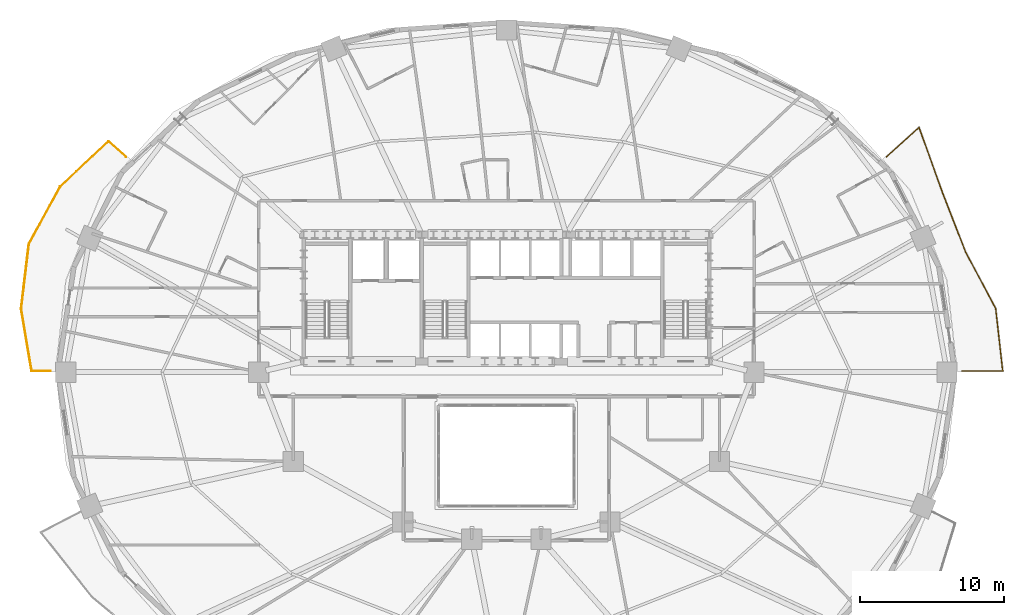
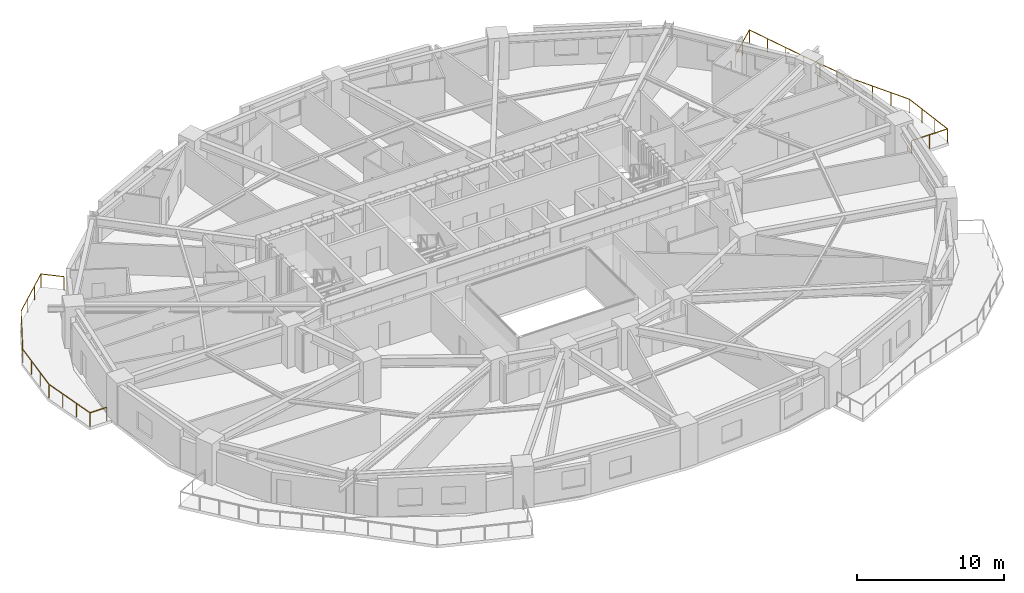
# One storey, part 17 of 17: 2 railings.
"""IFC4 building model written with IfcOpenShell, lengths in metres."""

import ifcopenshell
import ifcopenshell.guid

model = None  # the IFC model being written
_history = None  # IfcOwnerHistory: only IFC2X3 demands one
_inside = {}  # id of a spatial element -> (the spatial element, [elements in it])
_under = {}  # id of a project, library or spatial element -> (it, [spatial elements below it])
_declared = {}  # id of a project -> (the project, [libraries it declares])
_typed = {}  # id of a type object -> (the type object, [elements of that type])
_made_of = {}  # id of a material, layer set ... -> (it, [elements and type objects made of it])


def new_model(schema):
    """Start an empty IFC model of exactly this schema.

    Asked for "IFC4X3", IfcOpenShell would pick the latest addendum, in which some entities
    have other attributes; the version numbers below select the first issue.
    IFC2X3 requires an IfcOwnerHistory on every rooted entity: one is made here for all.
    """
    global model, _history
    if schema == "IFC4X3":
        model = ifcopenshell.file(schema_version=(4, 3, 0, 0))
    else:
        model = ifcopenshell.file(schema=schema)
    _inside.clear()
    _under.clear()
    _declared.clear()
    _typed.clear()
    _made_of.clear()
    _history = None
    if model.schema == "IFC2X3":
        org = make("IfcOrganization", Name="unknown")
        user = make(
            "IfcPersonAndOrganization",
            ThePerson=make("IfcPerson", FamilyName="unknown"),
            TheOrganization=org,
        )
        app = make(
            "IfcApplication",
            ApplicationDeveloper=org,
            Version="unknown",
            ApplicationFullName="unknown",
            ApplicationIdentifier="unknown",
        )
        _history = make(
            "IfcOwnerHistory",
            OwningUser=user,
            OwningApplication=app,
            ChangeAction="ADDED",
            CreationDate=0,
        )
    return model


def make(cls, **values):
    """One entity of the class cls with the attributes given. An attribute that is None is left unset."""
    return model.create_entity(
        cls, **{name: value for name, value in values.items() if value is not None}
    )


def rooted(cls, **values):
    """An entity with a GlobalId (a new one), such as an element, a storey or a relation."""
    return make(cls, GlobalId=ifcopenshell.guid.new(), OwnerHistory=_history, **values)


def si_unit(unit_type, name, prefix=None):
    """IfcSIUnit, for example si_unit("LENGTHUNIT", "METRE", prefix="MILLI")."""
    return make("IfcSIUnit", UnitType=unit_type, Prefix=prefix, Name=name)


def assignment(units):
    """IfcUnitAssignment: the units of a project."""
    return None if units is None else make("IfcUnitAssignment", Units=units)


def point(xyz):
    """IfcCartesianPoint."""
    return None if xyz is None else make("IfcCartesianPoint", Coordinates=xyz)


def direction(xyz):
    """IfcDirection."""
    return None if xyz is None else make("IfcDirection", DirectionRatios=xyz)


def frame(location, z_axis=None, x_axis=None):
    """IfcAxis2Placement3D, a coordinate frame: its origin and axes. An axis left out is left unset."""
    return make(
        "IfcAxis2Placement3D",
        Location=point(location),
        Axis=direction(z_axis),
        RefDirection=direction(x_axis),
    )


def frame_2d(location, x_axis=None):
    """IfcAxis2Placement2D, a coordinate frame in the plane: its origin and x axis."""
    return make(
        "IfcAxis2Placement2D", Location=point(location), RefDirection=direction(x_axis)
    )


def origin():
    """The frame at (0, 0, 0) with its axes left unset."""
    return frame((0.0, 0.0, 0.0))


def origin_2d():
    """The frame at (0, 0) in the plane with its x axis left unset."""
    return frame_2d((0.0, 0.0))


def place(relative_to, where):
    """IfcLocalPlacement: puts the frame where relative to a parent placement (None: the world)."""
    return make(
        "IfcLocalPlacement", PlacementRelTo=relative_to, RelativePlacement=where
    )


def context(
    kind, dimensions, precision=None, world=None, true_north=None, identifier=None
):
    """IfcGeometricRepresentationContext, for example the 3D "Model" context."""
    return make(
        "IfcGeometricRepresentationContext",
        ContextIdentifier=identifier,
        ContextType=kind,
        CoordinateSpaceDimension=dimensions,
        Precision=precision,
        WorldCoordinateSystem=world,
        TrueNorth=true_north,
    )


def subcontext(parent, identifier, kind, view, scale=None):
    """IfcGeometricRepresentationSubContext, for example "Body" below "Model"."""
    return make(
        "IfcGeometricRepresentationSubContext",
        ContextIdentifier=identifier,
        ContextType=kind,
        ParentContext=parent,
        TargetScale=scale,
        TargetView=view,
    )


def project(units=None, contexts=None):
    """IfcProject with its units and contexts."""
    return rooted(
        "IfcProject",
        Name="project",
        RepresentationContexts=contexts,
        UnitsInContext=assignment(units),
    )


def spatial(cls, under=None, at=None, **own):
    """A site, building, storey or space (cls), placed at a placement, below another one or the project."""
    s = rooted(cls, ObjectPlacement=at, **own)
    if under is not None:
        _under.setdefault(under.id(), (under, []))[1].append(s)
    return s


def profile(cls, at=None, kind="AREA", **sizes):
    """A parametric profile (cls). Its sizes go by their IFC names, for example OverallWidth=200.0."""
    return make(cls, ProfileType=kind, Position=at, **sizes)


def rectangle(**sizes):
    """IfcRectangleProfileDef."""
    return profile("IfcRectangleProfileDef", **sizes)


def extrude(swept, where, along, depth):
    """IfcExtrudedAreaSolid: the profile swept, set in the frame where, extruded along a direction by depth."""
    return make(
        "IfcExtrudedAreaSolid",
        SweptArea=swept,
        Position=where,
        ExtrudedDirection=direction(along),
        Depth=depth,
    )


def shape(context_of_items, identifier, shape_type, items):
    """IfcShapeRepresentation: the items that make up one representation, for example the "Body"."""
    return make(
        "IfcShapeRepresentation",
        ContextOfItems=context_of_items,
        RepresentationIdentifier=identifier,
        RepresentationType=shape_type,
        Items=items,
    )


def material(Name=None, Category=None):
    """IfcMaterial."""
    return make("IfcMaterial", Name=Name, Category=Category)


def made_of(thing, what):
    """Note that an element or type object is made of a material, layer set ...; save() writes the relation."""
    if what is not None:
        _made_of.setdefault(what.id(), (what, []))[1].append(thing)
    return thing


def type_object(cls, material=None, **own):
    """A type object (cls), such as IfcWallType, which elements share."""
    return made_of(rooted(cls, **own), material)


def element(
    cls,
    number,
    at=None,
    inside=None,
    cuts=None,
    type_object=None,
    material=None,
    context=None,
    identifier="Body",
    shape_type=None,
    held_by="IfcProductDefinitionShape",
    body=None,
    shapes=None,
    **own,
):
    """One element of the class cls, such as IfcWall. Its Tag is "e" and its number.

    at: its placement. inside: the storey or other place that contains it. cuts: it is an
    opening in that element (IfcRelVoidsElement). A single representation is given by context,
    identifier, shape_type and body (its items); several are given by shapes. held_by: the class
    of the entity that holds the representations. save() writes the other relations.
    """
    e = rooted(cls, Tag="e%d" % number, ObjectPlacement=at, **own)
    if body is not None:
        shapes = [shape(context, identifier, shape_type, body)]
    if shapes is not None:
        e.Representation = make(held_by, Representations=shapes)
    if inside is not None:
        _inside.setdefault(inside.id(), (inside, []))[1].append(e)
    if cuts is not None:
        rooted(
            "IfcRelVoidsElement", RelatingBuildingElement=cuts, RelatedOpeningElement=e
        )
    if type_object is not None:
        _typed.setdefault(type_object.id(), (type_object, []))[1].append(e)
    return made_of(e, material)


def aggregate(whole, parts):
    """IfcRelAggregates: a whole, such as a stair, and the parts it consists of."""
    return rooted("IfcRelAggregates", RelatingObject=whole, RelatedObjects=parts)


def save(model, path):
    """Write the relations noted so far, then the file.

    IfcRelAggregates (storeys below a building ...), IfcRelContainedInSpatialStructure (elements
    in a storey), IfcRelDefinesByType, IfcRelAssociatesMaterial and IfcRelDeclares: one each for
    every whole, place, type object, material and project.
    """
    for whole, parts in _under.values():
        aggregate(whole, parts)
    for where, things in _inside.values():
        rooted(
            "IfcRelContainedInSpatialStructure",
            RelatedElements=things,
            RelatingStructure=where,
        )
    for kind, things in _typed.values():
        rooted("IfcRelDefinesByType", RelatedObjects=things, RelatingType=kind)
    for what, things in _made_of.values():
        rooted("IfcRelAssociatesMaterial", RelatedObjects=things, RelatingMaterial=what)
    for by, libraries in _declared.values():
        rooted("IfcRelDeclares", RelatingContext=by, RelatedDefinitions=libraries)
    model.write(path)


model = new_model("IFC4")

# Units and contexts
model_context = context("Model", 3, precision=1e-05, world=origin(), true_north=direction((0.0, 1.0)))
body_context = subcontext(model_context, "Body", "Model", "MODEL_VIEW")
ifc_project = project(units=[si_unit("LENGTHUNIT", "METRE"), si_unit("AREAUNIT", "SQUARE_METRE"), si_unit("VOLUMEUNIT", "CUBIC_METRE"), si_unit("PLANEANGLEUNIT", "RADIAN"), si_unit("MASSUNIT", "GRAM", prefix="KILO")], contexts=[model_context])

# Site, building, storey
site_placement = place(None, origin())
site = spatial("IfcSite", under=ifc_project, at=site_placement, CompositionType="ELEMENT")
building_placement = place(site_placement, origin())
building = spatial("IfcBuilding", under=site, at=building_placement, Name="Haldorwick Loom Tower", CompositionType="ELEMENT")
storey_placement = place(building_placement, frame((0.0, 0.0, 27.449951171875)))
storey = spatial("IfcBuildingStorey", under=building, at=storey_placement, Name="L06", CompositionType="ELEMENT", Elevation=27.449951171875)

# Railings
ifc_material = material(Name="Galvanized Steel CSA G40.21 350W", Category="steel")
railing_type = type_object("IfcRailingType", Name="ARC-RLG-BAL115", PredefinedType="BALUSTRADE", material=ifc_material)
railing_1_placement = place(storey_placement, frame((4.36083984375, 26.080078125, 0.0)))
element("IfcRailing", 1, at=railing_1_placement, inside=storey, type_object=railing_type, Name="L06 Outdoor Terrace Guardrail SLB-L06-BAL_WNW-1", PredefinedType="BALUSTRADE", context=body_context, shape_type="SweptSolid", body=[
    extrude(rectangle(XDim=0.048095703125, YDim=0.048095703125, at=origin_2d()), frame((0.0, 0.0, 1.1259765625), z_axis=(-1.0, 0.0, 0.0), x_axis=(0.0, -1.0, 0.0)), (0.0, 0.0, 1.0), 1.315673828125),
    extrude(rectangle(XDim=0.048095703125, YDim=0.048095703125, at=origin_2d()), frame((-1.315673828125, 0.0, 1.1259765625), z_axis=(-0.167012646777, 0.985954753433, 0.0), x_axis=(-0.985954753433, -0.167012646777, 0.0)), (0.0, 0.0, 1.0), 4.376708984375),
    extrude(rectangle(XDim=0.048095703125, YDim=0.048095703125, at=origin_2d()), frame((-2.046630859375, 4.315185546875, 1.1259765625), z_axis=(0.118178746417, 0.992992338286, 0.0), x_axis=(-0.992992338286, 0.118178746417, 0.0)), (0.0, 0.0, 1.0), 4.532470703125),
    extrude(rectangle(XDim=0.048095703125, YDim=0.048095703125, at=origin_2d()), frame((-1.510986328125, 8.81591796875, 1.1259765625), z_axis=(0.478746977459, 0.877952921046, 0.0), x_axis=(-0.877952921046, 0.478746977459, 0.0)), (0.0, 0.0, 1.0), 4.554931640625),
    extrude(rectangle(XDim=0.048095703125, YDim=0.048095703125, at=origin_2d()), frame((0.669677734375, 12.81494140625, 1.1259765625), z_axis=(0.731566348196, 0.681770253228, 0.0), x_axis=(-0.681770253228, 0.731566348196, 0.0)), (0.0, 0.0, 1.0), 4.589111328125),
    extrude(rectangle(XDim=0.048095703125, YDim=0.048095703125, at=origin_2d()), frame((4.02685546875, 15.943603515625, 1.1259765625), z_axis=(0.748217378369, -0.663453656789, 0.0), x_axis=(0.663453656789, 0.748217378369, 0.0)), (0.0, 0.0, 1.0), 1.61572265625),
    extrude(rectangle(XDim=0.0419921875, YDim=0.0419921875, at=origin_2d()), origin(), (0.0, 0.0, 1.0), 1.101806640625),
    extrude(rectangle(XDim=0.0419921875, YDim=0.0419921875, at=origin_2d()), frame((-1.315673828125, 0.0, 0.0)), (0.0, 0.0, 1.0), 1.101806640625),
    extrude(rectangle(XDim=0.0419921875, YDim=0.0419921875, at=origin_2d()), frame((-1.559326171875, 1.4384765625, 0.0)), (0.0, 0.0, 1.0), 1.101806640625),
    extrude(rectangle(XDim=0.0419921875, YDim=0.0419921875, at=origin_2d()), frame((-1.802978515625, 2.876708984375, 0.0)), (0.0, 0.0, 1.0), 1.101806640625),
    extrude(rectangle(XDim=0.0419921875, YDim=0.0419921875, at=origin_2d()), frame((-2.046630859375, 4.315185546875, 0.0)), (0.0, 0.0, 1.0), 1.101806640625),
    extrude(rectangle(XDim=0.0419921875, YDim=0.0419921875, at=origin_2d()), frame((-1.8681640625, 5.8154296875, 0.0)), (0.0, 0.0, 1.0), 1.101806640625),
    extrude(rectangle(XDim=0.0419921875, YDim=0.0419921875, at=origin_2d()), frame((-1.689453125, 7.315673828125, 0.0)), (0.0, 0.0, 1.0), 1.101806640625),
    extrude(rectangle(XDim=0.0419921875, YDim=0.0419921875, at=origin_2d()), frame((-1.510986328125, 8.81591796875, 0.0)), (0.0, 0.0, 1.0), 1.101806640625),
    extrude(rectangle(XDim=0.0419921875, YDim=0.0419921875, at=origin_2d()), frame((-0.7841796875, 10.14892578125, 0.0)), (0.0, 0.0, 1.0), 1.101806640625),
    extrude(rectangle(XDim=0.0419921875, YDim=0.0419921875, at=origin_2d()), frame((-0.05712890625, 11.48193359375, 0.0)), (0.0, 0.0, 1.0), 1.101806640625),
    extrude(rectangle(XDim=0.0419921875, YDim=0.0419921875, at=origin_2d()), frame((0.669677734375, 12.81494140625, 0.0)), (0.0, 0.0, 1.0), 1.101806640625),
    extrude(rectangle(XDim=0.0419921875, YDim=0.0419921875, at=origin_2d()), frame((1.788818359375, 13.85791015625, 0.0)), (0.0, 0.0, 1.0), 1.101806640625),
    extrude(rectangle(XDim=0.0419921875, YDim=0.0419921875, at=origin_2d()), frame((2.90771484375, 14.900634765625, 0.0)), (0.0, 0.0, 1.0), 1.101806640625),
    extrude(rectangle(XDim=0.0419921875, YDim=0.0419921875, at=origin_2d()), frame((4.02685546875, 15.943603515625, 0.0)), (0.0, 0.0, 1.0), 1.101806640625),
    extrude(rectangle(XDim=0.0419921875, YDim=0.0419921875, at=origin_2d()), frame((5.23583984375, 14.87158203125, 0.0)), (0.0, 0.0, 1.0), 1.101806640625),
])
railing_2_placement = place(storey_placement, frame((62.400390625, 40.954833984375, 0.0)))
element("IfcRailing", 2, at=railing_2_placement, inside=storey, type_object=railing_type, Name="L06 Outdoor Terrace Guardrail SLB-L06-BAL_ENE-1", PredefinedType="BALUSTRADE", context=body_context, shape_type="SweptSolid", body=[
    extrude(rectangle(XDim=0.048095703125, YDim=0.048095703125, at=origin_2d()), frame((0.0, 0.0, 1.1259765625), z_axis=(0.74176658268, 0.670658137071, 0.0), x_axis=(-0.670658137071, 0.74176658268, 0.0)), (0.0, 0.0, 1.0), 3.03173828125),
    extrude(rectangle(XDim=0.048095703125, YDim=0.048095703125, at=origin_2d()), frame((2.248779296875, 2.033203125, 1.1259765625), z_axis=(0.337840495156, -0.941203378571, 0.0), x_axis=(0.941203378571, 0.337840495156, 0.0)), (0.0, 0.0, 1.0), 4.800537109375),
    extrude(rectangle(XDim=0.048095703125, YDim=0.048095703125, at=origin_2d()), frame((3.87060546875, -2.485107421875, 1.1259765625), z_axis=(0.351123441588, -0.936329177569, 0.0), x_axis=(0.936329177569, 0.351123441588, 0.0)), (0.0, 0.0, 1.0), 0.002197265625),
    extrude(rectangle(XDim=0.048095703125, YDim=0.048095703125, at=origin_2d()), frame((3.871337890625, -2.487060546875, 1.1259765625), z_axis=(0.36271610955, -0.93189968552, 0.0), x_axis=(0.93189968552, 0.36271610955, 0.0)), (0.0, 0.0, 1.0), 4.409423828125),
    extrude(rectangle(XDim=0.048095703125, YDim=0.048095703125, at=origin_2d()), frame((5.470703125, -6.59619140625, 1.1259765625), z_axis=(0.415759760268, -0.909474475586, 0.0), x_axis=(0.909474475586, 0.415759760268, 0.0)), (0.0, 0.0, 1.0), 0.00927734375),
    extrude(rectangle(XDim=0.048095703125, YDim=0.048095703125, at=origin_2d()), frame((5.474609375, -6.604736328125, 1.1259765625), z_axis=(0.470166455798, -0.882577760791, 0.0), x_axis=(0.882577760791, 0.470166455798, 0.0)), (0.0, 0.0, 1.0), 4.447021484375),
    extrude(rectangle(XDim=0.048095703125, YDim=0.048095703125, at=origin_2d()), frame((7.5654296875, -10.529541015625, 1.1259765625), z_axis=(0.112220668286, -0.993683310522, 0.0), x_axis=(0.993683310522, 0.112220668286, 0.0)), (0.0, 0.0, 1.0), 4.372802734375),
    extrude(rectangle(XDim=0.048095703125, YDim=0.048095703125, at=origin_2d()), frame((8.05615234375, -14.874755859375, 1.1259765625), z_axis=(-1.0, 0.0, 0.0), x_axis=(0.0, -1.0, 0.0)), (0.0, 0.0, 1.0), 2.8173828125),
    extrude(rectangle(XDim=0.0419921875, YDim=0.0419921875, at=origin_2d()), origin(), (0.0, 0.0, 1.0), 1.101806640625),
    extrude(rectangle(XDim=0.0419921875, YDim=0.0419921875, at=origin_2d()), frame((1.12451171875, 1.0166015625, 0.0)), (0.0, 0.0, 1.0), 1.101806640625),
    extrude(rectangle(XDim=0.0419921875, YDim=0.0419921875, at=origin_2d()), frame((2.248779296875, 2.033203125, 0.0)), (0.0, 0.0, 1.0), 1.101806640625),
    extrude(rectangle(XDim=0.0419921875, YDim=0.0419921875, at=origin_2d()), frame((2.789306640625, 0.527099609375, 0.0)), (0.0, 0.0, 1.0), 1.101806640625),
    extrude(rectangle(XDim=0.0419921875, YDim=0.0419921875, at=origin_2d()), frame((3.330078125, -0.97900390625, 0.0)), (0.0, 0.0, 1.0), 1.101806640625),
    extrude(rectangle(XDim=0.0419921875, YDim=0.0419921875, at=origin_2d()), frame((3.87060546875, -2.485107421875, 0.0)), (0.0, 0.0, 1.0), 1.101806640625),
    extrude(rectangle(XDim=0.0419921875, YDim=0.0419921875, at=origin_2d()), frame((4.404541015625, -3.856689453125, 0.0)), (0.0, 0.0, 1.0), 1.101806640625),
    extrude(rectangle(XDim=0.0419921875, YDim=0.0419921875, at=origin_2d()), frame((4.9375, -5.2265625, 0.0)), (0.0, 0.0, 1.0), 1.101806640625),
    extrude(rectangle(XDim=0.0419921875, YDim=0.0419921875, at=origin_2d()), frame((5.470703125, -6.59619140625, 0.0)), (0.0, 0.0, 1.0), 1.101806640625),
    extrude(rectangle(XDim=0.0419921875, YDim=0.0419921875, at=origin_2d()), frame((6.171630859375, -7.9130859375, 0.0)), (0.0, 0.0, 1.0), 1.101806640625),
    extrude(rectangle(XDim=0.0419921875, YDim=0.0419921875, at=origin_2d()), frame((6.868408203125, -9.22119140625, 0.0)), (0.0, 0.0, 1.0), 1.101806640625),
    extrude(rectangle(XDim=0.0419921875, YDim=0.0419921875, at=origin_2d()), frame((7.5654296875, -10.529541015625, 0.0)), (0.0, 0.0, 1.0), 1.101806640625),
    extrude(rectangle(XDim=0.0419921875, YDim=0.0419921875, at=origin_2d()), frame((7.72900390625, -11.97802734375, 0.0)), (0.0, 0.0, 1.0), 1.101806640625),
    extrude(rectangle(XDim=0.0419921875, YDim=0.0419921875, at=origin_2d()), frame((7.892578125, -13.42626953125, 0.0)), (0.0, 0.0, 1.0), 1.101806640625),
    extrude(rectangle(XDim=0.0419921875, YDim=0.0419921875, at=origin_2d()), frame((8.05615234375, -14.874755859375, 0.0)), (0.0, 0.0, 1.0), 1.101806640625),
    extrude(rectangle(XDim=0.0419921875, YDim=0.0419921875, at=origin_2d()), frame((6.6474609375, -14.874755859375, 0.0)), (0.0, 0.0, 1.0), 1.101806640625),
    extrude(rectangle(XDim=0.0419921875, YDim=0.0419921875, at=origin_2d()), frame((5.23876953125, -14.874755859375, 0.0)), (0.0, 0.0, 1.0), 1.101806640625),
])

save(model, "model.ifc")
